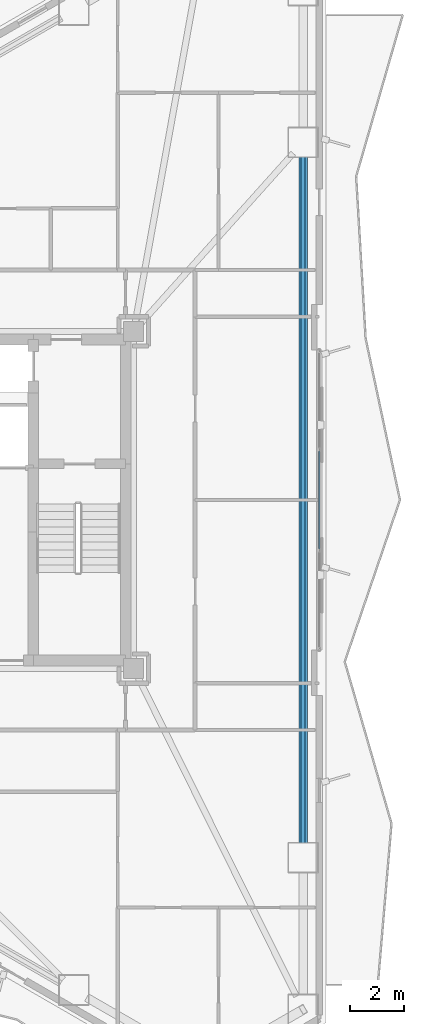
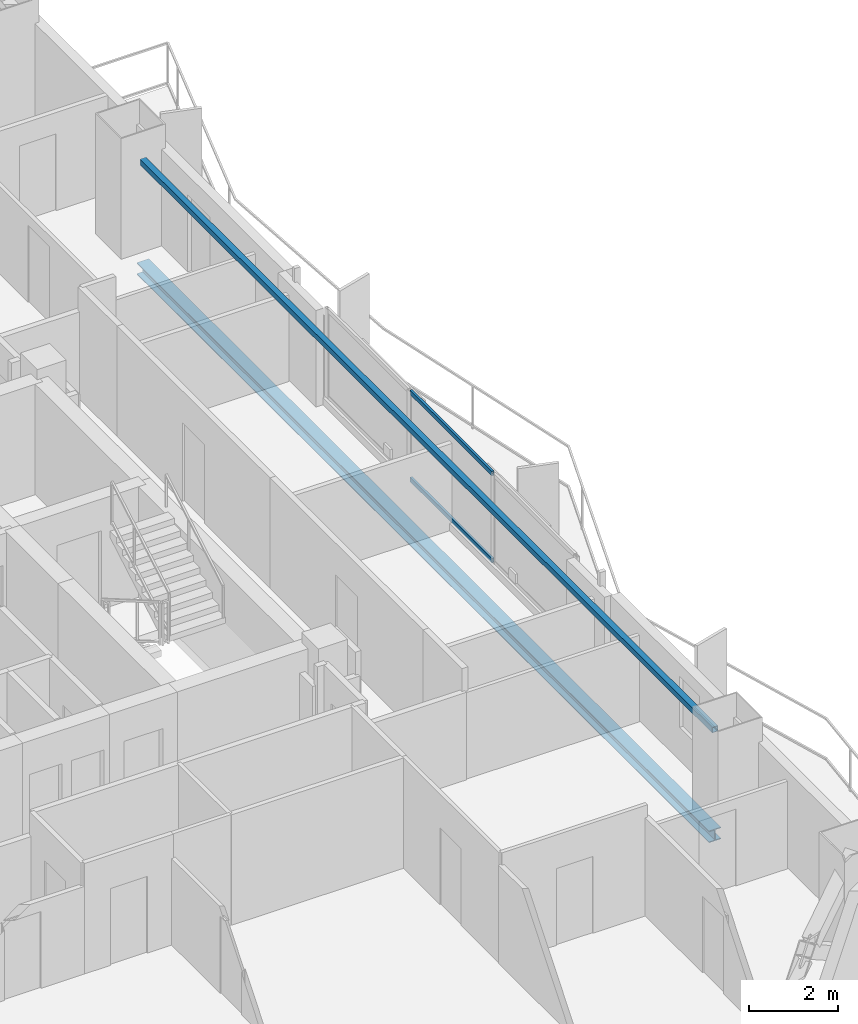
# One storey, part 9 of 22: 2 beams, 2 members, 1 element without a shape of its own.
"""IFC4 building model written with IfcOpenShell, lengths in metres."""

from ifc_helpers import new_model, si_unit, direction, frame, origin, origin_2d, place, context, subcontext, project, spatial, hollow_rectangle, i_section, extrude, material, layer, layer_set, material_profile, profile_set, type_object, element, aggregate, save


model = new_model("IFC4")

# Units and contexts
model_context = context("Model", 3, precision=1e-05, world=origin(), true_north=direction((0.0, 1.0)))
body_context = subcontext(model_context, "Body", "Model", "MODEL_VIEW")
ifc_project = project(units=[si_unit("LENGTHUNIT", "METRE"), si_unit("AREAUNIT", "SQUARE_METRE"), si_unit("VOLUMEUNIT", "CUBIC_METRE"), si_unit("PLANEANGLEUNIT", "RADIAN"), si_unit("MASSUNIT", "GRAM", prefix="KILO")], contexts=[model_context])

# Site, building, storey
site_placement = place(None, origin())
site = spatial("IfcSite", under=ifc_project, at=site_placement, CompositionType="ELEMENT")
building_placement = place(site_placement, origin())
building = spatial("IfcBuilding", under=site, at=building_placement, Name="Mersakhor Tower and Convention Hall", CompositionType="ELEMENT")
storey_placement = place(building_placement, frame((0.0, 0.0, 113.10009765625)))
storey = spatial("IfcBuildingStorey", under=building, at=storey_placement, Name="L31", CompositionType="ELEMENT", Elevation=113.10009765625)

# Beams
ifc_material_1 = material(Name="Steel S355", Category="steel")
ifc_material_profile_1 = material_profile(ifc_material_1, hollow_rectangle(XDim=0.14990234375, YDim=0.14990234375, WallThickness=0.010009765625, at=origin_2d()), Name="SHS 150x150x10")
ifc_profile_set_1 = profile_set([ifc_material_profile_1], Name="Steel S355")
beam_type_1 = type_object("IfcBeamType", Name="BM-GRT-SHS150", PredefinedType="USERDEFINED", material=ifc_profile_set_1)
beam_1_placement = place(storey_placement, frame((42.4345703125, 39.566650390625, 2.47998046875), z_axis=(0.0, -1.0, 0.0), x_axis=(1.0, 0.0, 0.0)))
element("IfcBeam", 1, at=beam_1_placement, inside=storey, type_object=beam_type_1, Name="L31 Facade Support Girt GRT-F2", ObjectType="GIRT", PredefinedType="USERDEFINED", context=body_context, shape_type="SweptSolid", body=[
    extrude(hollow_rectangle(XDim=0.14990234375, YDim=0.14990234375, WallThickness=0.010009765625, at=origin_2d()), origin(), (0.0, 0.0, 1.0), 25.63330078125),
])
ifc_material_2 = material(Name="Steel S355", Category="steel")
ifc_material_profile_2 = material_profile(ifc_material_2, i_section(OverallWidth=0.30908203125, OverallDepth=0.320556640625, WebThickness=0.013916015625, FlangeThickness=0.021728515625, at=origin_2d()), Name="UC 305x305x137")
ifc_profile_set_2 = profile_set([ifc_material_profile_2], Name="Steel S355")
beam_type_2 = type_object("IfcBeamType", Name="BM-SPD-UC305", PredefinedType="SPANDREL", material=ifc_profile_set_2)
beam_2_placement = place(storey_placement, frame((42.4345703125, 39.566650390625, -0.410400390625), z_axis=(0.0, -1.0, 0.0), x_axis=(1.0, 0.0, 0.0)))
element("IfcBeam", 2, at=beam_2_placement, inside=storey, type_object=beam_type_2, Name="L31 Perimeter Spandrel Beam SPB-06", PredefinedType="SPANDREL", context=body_context, shape_type="SweptSolid", body=[
    extrude(i_section(OverallWidth=0.30908203125, OverallDepth=0.320556640625, WebThickness=0.013916015625, FlangeThickness=0.021728515625, at=origin_2d()), origin(), (0.0, 0.0, 1.0), 25.63330078125),
])

# Curtain wall, members
ifc_material_3 = material(Name="Dark solar low-E aluminium curtain wall", Category="aluminium")
ifc_layer = layer(ifc_material_3, 0.159912109375)
ifc_layer_set = layer_set([ifc_layer], Name="Dark solar low-E aluminium curtain wall")
curtain_wall_type = type_object("IfcCurtainWallType", Name="CW-SYS-01", PredefinedType="USERDEFINED", material=ifc_layer_set)
curtain_wall_placement = place(storey_placement, origin())
curtain_wall = element("IfcCurtainWall", 3, at=curtain_wall_placement, inside=storey, type_object=curtain_wall_type, Name="L31 Dark-Glass Curtain Wall F2-B2", ObjectType="CURTAIN WALL", PredefinedType="USERDEFINED")
ifc_material_4 = material(Name="Anodised aluminium EN AW-6063 T6", Category="aluminium")
ifc_material_profile_3 = material_profile(ifc_material_4, hollow_rectangle(XDim=0.06005859375, YDim=0.1201171875, WallThickness=0.0048828125, at=origin_2d()), Name="RHS 120x60x5")
ifc_profile_set_3 = profile_set([ifc_material_profile_3], Name="Anodised aluminium EN AW-6063 T6")
member_type = type_object("IfcMemberType", Name="CWT-120x60", PredefinedType="USERDEFINED", material=ifc_profile_set_3)
member_1_placement = place(storey_placement, frame((43.03466796875, 28.583984375, 0.22998046875), z_axis=(0.0, -1.0, 0.0), x_axis=(1.0, 0.0, 0.0)))
member_1 = element("IfcMember", 4, at=member_1_placement, type_object=member_type, Name="CW-01 transom 2.1", ObjectType="TRANSOM", PredefinedType="USERDEFINED", context=body_context, shape_type="SweptSolid", body=[
    extrude(hollow_rectangle(XDim=0.06005859375, YDim=0.1201171875, WallThickness=0.0048828125, at=origin_2d()), origin(), (0.0, 0.0, 1.0), 3.66796875),
])
member_2_placement = place(storey_placement, frame((43.03466796875, 28.583984375, 2.60986328125), z_axis=(0.0, -1.0, 0.0), x_axis=(1.0, 0.0, 0.0)))
member_2 = element("IfcMember", 5, at=member_2_placement, type_object=member_type, Name="CW-01 transom 2.2", ObjectType="TRANSOM", PredefinedType="USERDEFINED", context=body_context, shape_type="SweptSolid", body=[
    extrude(hollow_rectangle(XDim=0.06005859375, YDim=0.1201171875, WallThickness=0.0048828125, at=origin_2d()), origin(), (0.0, 0.0, 1.0), 3.66796875),
])
aggregate(curtain_wall, [member_1, member_2])

save(model, "model.ifc")
